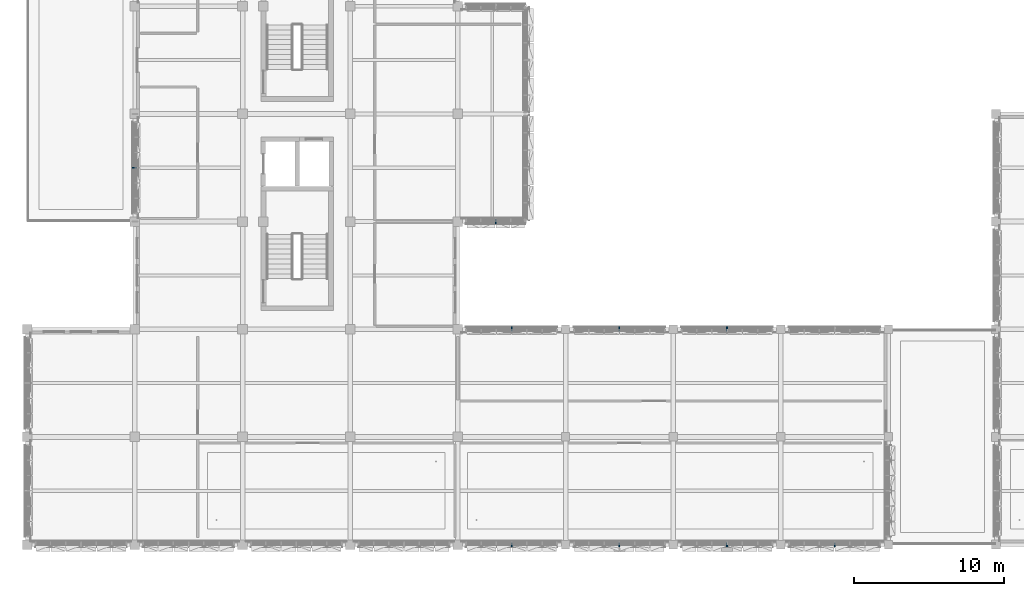
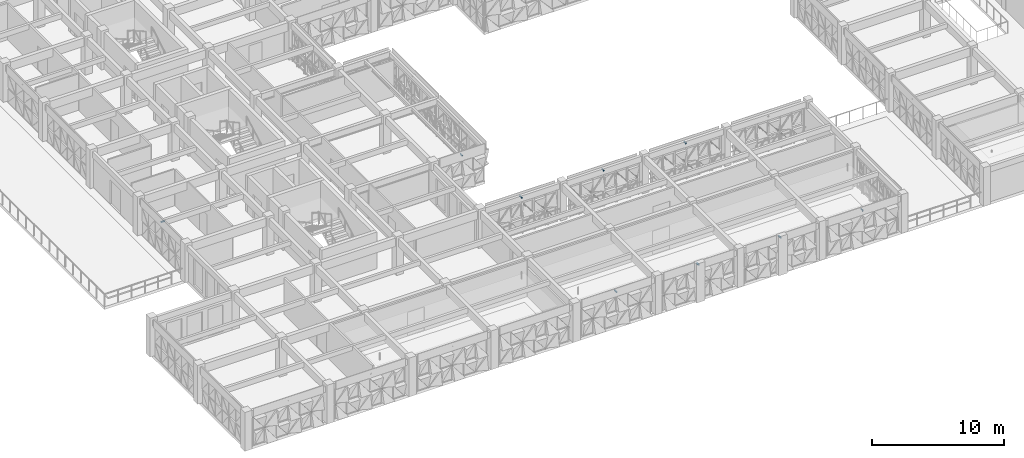
# One storey, part 58 of 85: 9 discrete accessories.
"""IFC4 building model written with IfcOpenShell, lengths in metres."""

from ifc_helpers import new_model, si_unit, direction, frame, origin, origin_2d, place, context, subcontext, project, spatial, rectangle, extrude, material, type_object, element, save


model = new_model("IFC4")

# Units and contexts
model_context = context("Model", 3, precision=1e-05, world=origin(), true_north=direction((0.0, 1.0)))
body_context = subcontext(model_context, "Body", "Model", "MODEL_VIEW")
ifc_project = project(units=[si_unit("LENGTHUNIT", "METRE"), si_unit("AREAUNIT", "SQUARE_METRE"), si_unit("VOLUMEUNIT", "CUBIC_METRE"), si_unit("PLANEANGLEUNIT", "RADIAN"), si_unit("MASSUNIT", "GRAM", prefix="KILO")], contexts=[model_context])

# Site, building, storey
site_placement = place(None, origin())
site = spatial("IfcSite", under=ifc_project, at=site_placement, CompositionType="ELEMENT")
building_placement = place(site_placement, origin())
building = spatial("IfcBuilding", under=site, at=building_placement, Name="Alvorim Cloister Faculty of Sciences", CompositionType="ELEMENT")
storey_placement = place(building_placement, frame((0.0, 0.0, 8.550048828125)))
storey = spatial("IfcBuildingStorey", under=building, at=storey_placement, Name="L02", CompositionType="ELEMENT", Elevation=8.550048828125)

# Discrete accessories
ifc_material = material(Name="Aluminium Alloy 6063-T6", Category="aluminium")
discrete_accessory_type = type_object("IfcDiscreteAccessoryType", Name="ACC-DIAG-BAR", PredefinedType="BRACKET", material=ifc_material)
for number, where, z_axis, x_axis, name in (
    (1, (7.340087890625, 25.199951171875, 3.224853515625), (-1.0, 0.0, 0.0), (0.0, -1.0, 0.0), "Slab-Edge Fascia Tie Bracket ACC-00499"),
    (2, (31.330078125, 21.739990234375, 3.15283203125), (0.0, -1.0, 0.0), (1.0, 0.0, 0.0), "Slab-Edge Fascia Tie Bracket ACC-00774"),
    (3, (32.39990234375, 14.260009765625, 3.224853515625), (0.0, 1.0, 0.0), (-1.0, 0.0, 0.0), "Slab-Edge Fascia Tie Bracket ACC-00787"),
    (4, (39.60009765625, 14.260009765625, 3.224853515625), (0.0, 1.0, 0.0), (-1.0, 0.0, 0.0), "Slab-Edge Fascia Tie Bracket ACC-00800"),
    (5, (46.800048828125, 14.260009765625, 3.224853515625), (0.0, 1.0, 0.0), (-1.0, 0.0, 0.0), "Slab-Edge Fascia Tie Bracket ACC-00813"),
):
    element("IfcDiscreteAccessory", number, at=place(storey_placement, frame(where, z_axis=z_axis, x_axis=x_axis)), inside=storey, type_object=discrete_accessory_type, Name=name, PredefinedType="BRACKET", context=body_context, shape_type="SweptSolid", body=[
        extrude(rectangle(XDim=0.080078125, YDim=0.080078125, at=origin_2d()), origin(), (0.0, 0.0, 1.0), 0.300048828125),
    ])
for number, where, z_axis, x_axis, name in (
    (6, (54.0, 0.139892578125, 3.224853515625), (0.0, -1.0, 0.0), (1.0, 0.0, 0.0), "Slab-Edge Fascia Tie Bracket ACC-00852"),
    (7, (46.800048828125, 0.139892578125, 3.224853515625), (0.0, -1.0, 0.0), (1.0, 0.0, 0.0), "Slab-Edge Fascia Tie Bracket ACC-00865"),
    (8, (39.60009765625, 0.139892578125, 3.224853515625), (0.0, -1.0, 0.0), (1.0, 0.0, 0.0), "Slab-Edge Fascia Tie Bracket ACC-00878"),
    (9, (32.39990234375, 0.139892578125, 3.224853515625), (0.0, -1.0, 0.0), (1.0, 0.0, 0.0), "Slab-Edge Fascia Tie Bracket ACC-00891"),
):
    element("IfcDiscreteAccessory", number, at=place(storey_placement, frame(where, z_axis=z_axis, x_axis=x_axis)), inside=storey, type_object=discrete_accessory_type, Name=name, PredefinedType="BRACKET", context=body_context, shape_type="SweptSolid", body=[
        extrude(rectangle(XDim=0.080078125, YDim=0.080078125, at=origin_2d()), origin(), (0.0, 0.0, 1.0), 0.2998046875),
    ])

save(model, "model.ifc")
